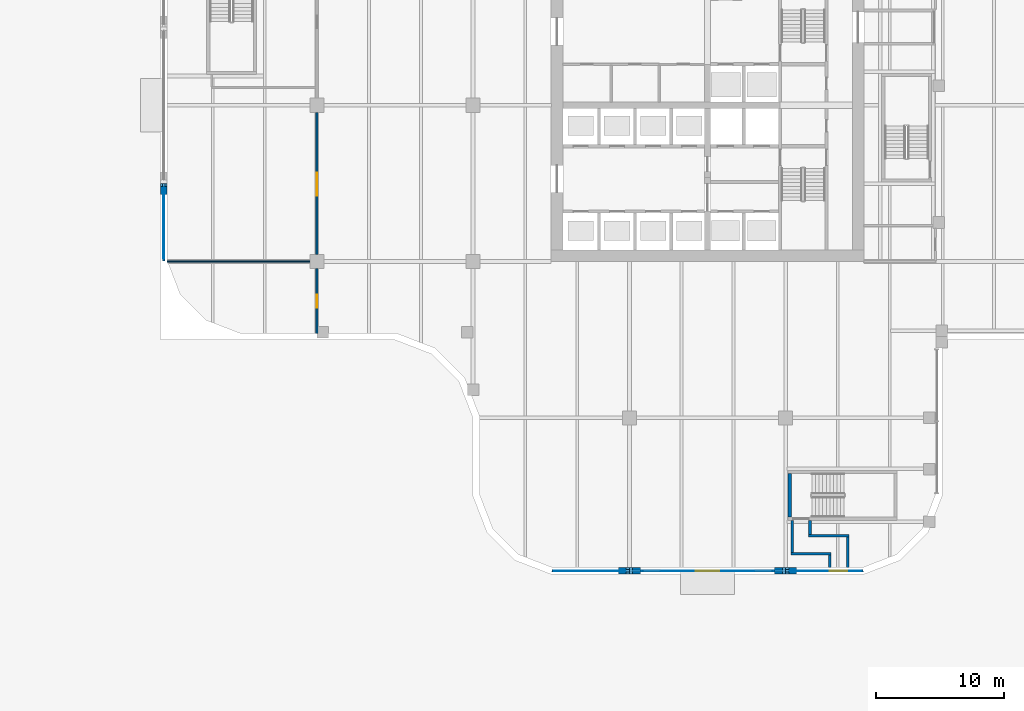
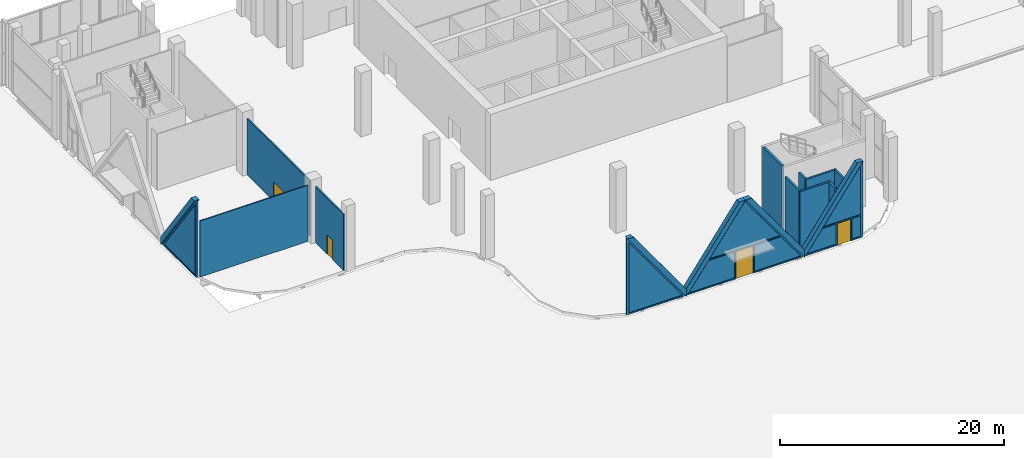
# One storey, part 17 of 36: 19 walls, 8 plates, 4 doors, 12 openings.
"""IFC4 building model written with IfcOpenShell, lengths in metres."""

from ifc_helpers import new_model, si_unit, direction, frame, frame_2d, origin, place, context, subcontext, project, spatial, polyline, rectangle, outline, extrude, faceted_brep, source, transform, mapped, material, layer, layer_set, type_object, element, fill, save


model = new_model("IFC4")

# Units and contexts
model_context = context("Model", 3, precision=1e-05, world=origin(), true_north=direction((0.0, 1.0)))
body_context = subcontext(model_context, "Body", "Model", "MODEL_VIEW")
ifc_project = project(units=[si_unit("LENGTHUNIT", "METRE"), si_unit("AREAUNIT", "SQUARE_METRE"), si_unit("VOLUMEUNIT", "CUBIC_METRE"), si_unit("PLANEANGLEUNIT", "RADIAN"), si_unit("MASSUNIT", "GRAM", prefix="KILO")], contexts=[model_context])

# Site, building, storey
site_placement = place(None, origin())
site = spatial("IfcSite", under=ifc_project, at=site_placement, CompositionType="ELEMENT")
building_placement = place(site_placement, origin())
building = spatial("IfcBuilding", under=site, at=building_placement, Name="Tessera Gate Towers", CompositionType="ELEMENT")
storey_placement = place(building_placement, origin())
storey = spatial("IfcBuildingStorey", under=building, at=storey_placement, Name="L00", CompositionType="ELEMENT", Elevation=0.0)

# Wall
ifc_material_1 = material(Name="Concrete C40/50", Category="concrete")
ifc_layer_1 = layer(ifc_material_1, 0.25)
ifc_layer_set_1 = layer_set([ifc_layer_1], Name="CORE ENCLOSURE WALL 250")
wall_type_1 = type_object("IfcWallType", Name="CORE ENCLOSURE WALL 250", PredefinedType="SOLIDWALL", material=ifc_layer_set_1)
wall_1_placement = place(storey_placement, frame((49.125, 4.449951171875, 0.0), z_axis=(0.0, 0.0, 1.0), x_axis=(0.0, 1.0, 0.0)))
element("IfcWall", 1, at=wall_1_placement, inside=storey, type_object=wall_type_1, Name="L00 ST4 enclosure wall", PredefinedType="SOLIDWALL", context=body_context, shape_type="SweptSolid", body=[
    extrude(rectangle(XDim=3.400146484375, YDim=0.25, at=frame_2d((1.7001953125, 0.0))), origin(), (0.0, 0.0, 1.0), 7.199951171875),
])

# Wall, opening, door
ifc_material_2 = material(Name="Gypsum board on steel studs, mineral wool", Category="steel")
ifc_layer_2 = layer(ifc_material_2, 0.14990234375)
ifc_layer_set_2 = layer_set([ifc_layer_2], Name="CORRIDOR WALL 150")
wall_type_2 = type_object("IfcWallType", Name="CORRIDOR WALL 150", PredefinedType="PARTITIONING", material=ifc_layer_set_2)
wall_2_placement = place(storey_placement, frame((12.199951171875, 18.800048828125, 0.0), z_axis=(0.0, 0.0, 1.0), x_axis=(0.0, 1.0, 0.0)))
wall_2 = element("IfcWall", 2, at=wall_2_placement, inside=storey, type_object=wall_type_2, Name="PODIUM-L00-PW-001", PredefinedType="PARTITIONING", context=body_context, shape_type="SweptSolid", body=[
    extrude(rectangle(XDim=5.049072265625, YDim=0.14990234375, at=frame_2d((2.5244140625, 0.0))), origin(), (0.0, 0.0, 1.0), 6.114990234375),
])
shared_shape_1 = source(origin(), body_context, "Body", "SweptSolid", [
    extrude(rectangle(XDim=1.0, YDim=2.10009765625, at=frame_2d((0.5, 1.050048828125))), frame((0.0, 0.0849609375, 0.0), z_axis=(0.0, -1.0, 0.0), x_axis=(1.0, 0.0, 0.0)), (0.0, 0.0, 1.0), 0.169921875),
])
opening_1_placement = place(wall_2_placement, frame((2.0, 0.0, 0.0)))
opening_1 = element("IfcOpeningElement", 3, at=opening_1_placement, cuts=wall_2, Name="Opening D2100FD60-P01-01", PredefinedType="OPENING", context=body_context, shape_type="MappedRepresentation", body=[
    mapped(shared_shape_1, transform((0.0, 0.0, 0.0), scale=1.0)),
])
ifc_material_3 = material(Name="Timber door leaf in steel frame", Category="steel")
door_type_1 = type_object("IfcDoorType", Name="TENANCY ENTRANCE DOOR 1000 FD60", OperationType="NOTDEFINED", PredefinedType="DOOR", material=ifc_material_3)
shared_shape_2 = source(origin(), body_context, "Body", "SweptSolid", [
    extrude(rectangle(XDim=1.0, YDim=2.10009765625, at=frame_2d((0.5, 1.050048828125))), frame((0.0, 0.02490234375, 0.0), z_axis=(0.0, -1.0, 0.0), x_axis=(1.0, 0.0, 0.0)), (0.0, 0.0, 1.0), 0.050048828125),
])
door_1_placement = place(opening_1_placement, origin())
door_1 = element("IfcDoor", 4, at=door_1_placement, inside=storey, type_object=door_type_1, Name="PODIUM-L00-PD-003", OperationType="SINGLE_SWING_LEFT", OverallHeight=2.10009765625, OverallWidth=1.0, PredefinedType="DOOR", context=body_context, shape_type="MappedRepresentation", body=[
    mapped(shared_shape_2, transform((0.0, 0.0, 0.0), scale=1.0)),
])
fill(opening_1, door_1)

wall_3_placement = place(storey_placement, frame((12.199951171875, 24.950927734375, 0.0), z_axis=(0.0, 0.0, 1.0), x_axis=(0.0, 1.0, 0.0)))
wall_3 = element("IfcWall", 5, at=wall_3_placement, inside=storey, type_object=wall_type_2, Name="PODIUM-L00-PW-010", PredefinedType="PARTITIONING", context=body_context, shape_type="SweptSolid", body=[
    extrude(rectangle(XDim=11.09814453125, YDim=0.14990234375, at=frame_2d((5.549072265625, 0.0))), origin(), (0.0, 0.0, 1.0), 6.114990234375),
])
shared_shape_3 = source(origin(), body_context, "Body", "SweptSolid", [
    extrude(rectangle(XDim=1.800048828125, YDim=2.10009765625, at=frame_2d((0.89990234375, 1.050048828125))), frame((0.0, 0.0849609375, 0.0), z_axis=(0.0, -1.0, 0.0), x_axis=(1.0, 0.0, 0.0)), (0.0, 0.0, 1.0), 0.169921875),
])
opening_2_placement = place(wall_3_placement, frame((4.60009765625, 0.0, 0.0)))
opening_2 = element("IfcOpeningElement", 6, at=opening_2_placement, cuts=wall_3, Name="Opening D2180FD60-P01-04", PredefinedType="OPENING", context=body_context, shape_type="MappedRepresentation", body=[
    mapped(shared_shape_3, transform((0.0, 0.0, 0.0), scale=1.0)),
])
ifc_material_4 = material(Name="Timber door leaf in steel frame", Category="steel")
door_type_2 = type_object("IfcDoorType", Name="TENANCY ENTRANCE DOUBLE DOOR 1800 FD60", OperationType="NOTDEFINED", PredefinedType="DOOR", material=ifc_material_4)
shared_shape_4 = source(origin(), body_context, "Body", "SweptSolid", [
    extrude(rectangle(XDim=1.800048828125, YDim=2.10009765625, at=frame_2d((0.89990234375, 1.050048828125))), frame((0.0, 0.02490234375, 0.0), z_axis=(0.0, -1.0, 0.0), x_axis=(1.0, 0.0, 0.0)), (0.0, 0.0, 1.0), 0.050048828125),
])
door_2_placement = place(opening_2_placement, origin())
door_2 = element("IfcDoor", 7, at=door_2_placement, inside=storey, type_object=door_type_2, Name="PODIUM-L00-PD-010", OperationType="DOUBLE_DOOR_SINGLE_SWING", OverallHeight=2.10009765625, OverallWidth=1.800048828125, PredefinedType="DOOR", context=body_context, shape_type="MappedRepresentation", body=[
    mapped(shared_shape_4, transform((0.0, 0.0, 0.0), scale=1.0)),
])
fill(opening_2, door_2)

# Walls
ifc_material_5 = material(Name="Gypsum board on steel studs", Category="steel")
ifc_layer_3 = layer(ifc_material_5, 0.199951171875)
ifc_layer_set_3 = layer_set([ifc_layer_3], Name="EXIT PASSAGE WALL 200")
wall_type_3 = type_object("IfcWallType", Name="EXIT PASSAGE WALL 200", PredefinedType="PARTITIONING", material=ifc_layer_set_3)
wall_4_placement = place(storey_placement, frame((49.300048828125, 1.699951171875, 0.0), z_axis=(0.0, 0.0, 1.0), x_axis=(0.0, 1.0, 0.0)))
element("IfcWall", 8, at=wall_4_placement, inside=storey, type_object=wall_type_3, Name="L00 exit passage wall", PredefinedType="PARTITIONING", context=body_context, shape_type="SweptSolid", body=[
    extrude(rectangle(XDim=2.5, YDim=0.199951171875, at=frame_2d((1.25, 0.0))), origin(), (0.0, 0.0, 1.0), 6.114990234375),
])
wall_5_placement = place(storey_placement, frame((49.199951171875, 1.60009765625, 0.0), z_axis=(0.0, 0.0, 1.0), x_axis=(1.0, 0.0, 0.0)))
element("IfcWall", 9, at=wall_5_placement, inside=storey, type_object=wall_type_3, Name="L00 exit passage wall", PredefinedType="PARTITIONING", context=body_context, shape_type="SweptSolid", body=[
    extrude(rectangle(XDim=3.150146484375, YDim=0.199951171875, at=frame_2d((1.5751953125, 0.0))), origin(), (0.0, 0.0, 1.0), 6.114990234375),
])
wall_6_placement = place(storey_placement, frame((50.699951171875, 3.10009765625, 0.0), z_axis=(0.0, 0.0, 1.0), x_axis=(0.0, 1.0, 0.0)))
element("IfcWall", 10, at=wall_6_placement, inside=storey, type_object=wall_type_3, Name="L00 exit passage wall", PredefinedType="PARTITIONING", context=body_context, shape_type="SweptSolid", body=[
    extrude(rectangle(XDim=1.099853515625, YDim=0.199951171875, at=frame_2d((0.5498046875, 0.0))), origin(), (0.0, 0.0, 1.0), 6.114990234375),
])
wall_7_placement = place(storey_placement, frame((50.60009765625, 3.0, 0.0), z_axis=(0.0, 0.0, 1.0), x_axis=(1.0, 0.0, 0.0)))
element("IfcWall", 11, at=wall_7_placement, inside=storey, type_object=wall_type_3, Name="L00 exit passage wall", PredefinedType="PARTITIONING", context=body_context, shape_type="SweptSolid", body=[
    extrude(rectangle(XDim=3.14990234375, YDim=0.199951171875, at=frame_2d((1.574951171875, 0.0))), origin(), (0.0, 0.0, 1.0), 6.114990234375),
])
wall_8_placement = place(storey_placement, frame((52.25, 0.5, 0.0), z_axis=(0.0, 0.0, 1.0), x_axis=(0.0, 1.0, 0.0)))
element("IfcWall", 12, at=wall_8_placement, inside=storey, type_object=wall_type_3, Name="L00 exit passage wall", PredefinedType="PARTITIONING", context=body_context, shape_type="SweptSolid", body=[
    extrude(rectangle(XDim=1.0, YDim=0.199951171875, at=frame_2d((0.5, 0.0))), origin(), (0.0, 0.0, 1.0), 6.114990234375),
])
wall_9_placement = place(storey_placement, frame((53.64990234375, 0.5, 0.0), z_axis=(0.0, 0.0, 1.0), x_axis=(0.0, 1.0, 0.0)))
element("IfcWall", 13, at=wall_9_placement, inside=storey, type_object=wall_type_3, Name="L00 exit passage wall", PredefinedType="PARTITIONING", context=body_context, shape_type="SweptSolid", body=[
    extrude(rectangle(XDim=2.39990234375, YDim=0.199951171875, at=frame_2d((1.199951171875, 0.0))), origin(), (0.0, 0.0, 1.0), 6.114990234375),
])
ifc_material_6 = material(Name="Gypsum board on steel studs", Category="steel")
ifc_layer_4 = layer(ifc_material_6, 0.10009765625)
ifc_layer_set_4 = layer_set([ifc_layer_4], Name="PARTITION 100")
wall_type_4 = type_object("IfcWallType", Name="PARTITION 100", PredefinedType="PARTITIONING", material=ifc_layer_set_4)
wall_10_placement = place(storey_placement, frame((0.535888671875, 24.39990234375, 0.0), z_axis=(0.0, 0.0, 1.0), x_axis=(1.0, 0.0, 0.0)))
element("IfcWall", 14, at=wall_10_placement, inside=storey, type_object=wall_type_4, Name="PODIUM-L00-PW-004", PredefinedType="PARTITIONING", context=body_context, shape_type="SweptSolid", body=[
    extrude(rectangle(XDim=11.113037109375, YDim=0.10009765625, at=frame_2d((5.556640625, 0.0))), origin(), (0.0, 0.0, 1.0), 6.114990234375),
])

# Wall, opening, plate
ifc_material_7 = material(Name="Aluminium storefront glazing", Category="aluminium")
ifc_layer_5 = layer(ifc_material_7, 0.199951171875)
ifc_layer_set_5 = layer_set([ifc_layer_5], Name="WS1 storefront wall")
wall_type_5 = type_object("IfcWallType", Name="WS1 storefront wall", PredefinedType="PARTITIONING", material=ifc_layer_set_5)
shared_shape_5 = source(origin(), body_context, "Body", "Brep", [
    faceted_brep([(0.0, -0.10009765625, 0.0), (6.072021484375, -0.10009765625, 0.0), (0.0185546875, -0.10009765625, 8.39990234375), (0.0, -0.10009765625, 8.373291015625), (0.037109375, 0.10009765625, 8.3740234375), (6.072021484375, 0.10009765625, 0.0), (0.037109375, 0.10009765625, 0.0), (0.0185546875, 0.0, 8.39990234375)], [[[0, 1, 2, 3]], [[4, 5, 6]], [[6, 5, 1, 0]], [[5, 4, 7, 2, 1]], [[3, 2, 7]], [[6, 0, 3, 7, 4]]]),
])
wall_11_placement = place(storey_placement, frame((30.528076171875, 0.25, 0.0), z_axis=(0.0, 0.0, 1.0), x_axis=(1.0, 0.0, 0.0)))
wall_11 = element("IfcWall", 15, at=wall_11_placement, inside=storey, type_object=wall_type_5, Name="Storefront wall T1 WS1-0001", PredefinedType="PARTITIONING", context=body_context, shape_type="MappedRepresentation", body=[
    mapped(shared_shape_5, transform((0.0, 0.0, 0.0), scale=1.0)),
])
shared_shape_6 = source(origin(), body_context, "Body", "SweptSolid", [
    extrude(outline(polyline([(0.218505859375, 0.14990234375), (5.779052734375, 0.14990234375), (0.218505859375, 7.865966796875), (0.218505859375, 0.14990234375)])), frame((0.0, 0.10986328125, 0.0), z_axis=(0.0, -1.0, 0.0), x_axis=(1.0, 0.0, 0.0)), (0.0, 0.0, 1.0), 0.219970703125),
])
opening_3_placement = place(wall_11_placement, origin())
opening_3 = element("IfcOpeningElement", 16, at=opening_3_placement, cuts=wall_11, Name="Opening T1-PL3-0001", PredefinedType="OPENING", context=body_context, shape_type="MappedRepresentation", body=[
    mapped(shared_shape_6, transform((0.0, 0.0, 0.0), scale=1.0)),
])
ifc_material_8 = material(Name="Low-e laminated glass", Category="glass")
ifc_layer_6 = layer(ifc_material_8, 0.06005859375)
ifc_layer_set_6 = layer_set([ifc_layer_6], Name="PL3 storefront pane")
plate_type = type_object("IfcPlateType", Name="PL3 storefront pane", PredefinedType="SHEET", material=ifc_layer_set_6)
shared_shape_7 = source(origin(), body_context, "Body", "SweptSolid", [
    extrude(outline(polyline([(0.218505859375, 0.14990234375), (5.779052734375, 0.14990234375), (0.218505859375, 7.865966796875), (0.218505859375, 0.14990234375)])), frame((0.0, 0.030029296875, 0.0), z_axis=(0.0, -1.0, 0.0), x_axis=(1.0, 0.0, 0.0)), (0.0, 0.0, 1.0), 0.06005859375),
])
plate_1_placement = place(opening_3_placement, origin())
plate_1 = element("IfcPlate", 17, at=plate_1_placement, inside=storey, type_object=plate_type, Name="Glass pane T1 PL3-0001", PredefinedType="SHEET", context=body_context, shape_type="MappedRepresentation", body=[
    mapped(shared_shape_7, transform((0.0, 0.0, 0.0), scale=1.0)),
])
fill(opening_3, plate_1)

# Wall, openings, plates, door
shared_shape_8 = source(origin(), body_context, "Body", "SweptSolid", [
    extrude(outline(polyline([(0.0, 0.0), (12.199951171875, 0.0), (6.10009765625, 8.39990234375), (0.0, 0.0)])), frame((0.0, 0.10009765625, 0.0), z_axis=(0.0, -1.0, 0.0), x_axis=(1.0, 0.0, 0.0)), (0.0, 0.0, 1.0), 0.199951171875),
])
wall_12_placement = place(storey_placement, frame((36.60009765625, 0.25, 0.0), z_axis=(0.0, 0.0, 1.0), x_axis=(1.0, 0.0, 0.0)))
wall_12 = element("IfcWall", 18, at=wall_12_placement, inside=storey, type_object=wall_type_5, Name="Storefront wall T1 WS1-0002", PredefinedType="PARTITIONING", context=body_context, shape_type="MappedRepresentation", body=[
    mapped(shared_shape_8, transform((0.0, 0.0, 0.0), scale=1.0)),
])
shared_shape_9 = source(origin(), body_context, "Body", "SweptSolid", [
    extrude(rectangle(XDim=1.800048828125, YDim=3.0, at=frame_2d((0.89990234375, 1.5))), frame((0.0, 0.10986328125, 0.0), z_axis=(0.0, -1.0, 0.0), x_axis=(1.0, 0.0, 0.0)), (0.0, 0.0, 1.0), 0.219970703125),
])
opening_4_placement = place(wall_12_placement, frame((5.199951171875, 0.0, 0.0)))
opening_4 = element("IfcOpeningElement", 19, at=opening_4_placement, cuts=wall_12, Name="Opening D-E102", PredefinedType="OPENING", context=body_context, shape_type="MappedRepresentation", body=[
    mapped(shared_shape_9, transform((0.0, 0.0, 0.0), scale=1.0)),
])
shared_shape_10 = source(origin(), body_context, "Body", "SweptSolid", [
    extrude(outline(polyline([(9.7490234375, 3.1201171875), (6.10009765625, 8.144775390625), (2.451171875, 3.1201171875), (9.7490234375, 3.1201171875)])), frame((0.0, 0.10986328125, 0.0), z_axis=(0.0, -1.0, 0.0), x_axis=(1.0, 0.0, 0.0)), (0.0, 0.0, 1.0), 0.219970703125),
])
opening_5_placement = place(wall_12_placement, origin())
opening_5 = element("IfcOpeningElement", 20, at=opening_5_placement, cuts=wall_12, Name="Opening T1-PL3-0002", PredefinedType="OPENING", context=body_context, shape_type="MappedRepresentation", body=[
    mapped(shared_shape_10, transform((0.0, 0.0, 0.0), scale=1.0)),
])
shared_shape_11 = source(origin(), body_context, "Body", "SweptSolid", [
    extrude(outline(polyline([(0.294189453125, 0.14990234375), (5.080078125, 0.14990234375), (5.080078125, 3.0), (2.364013671875, 3.0), (0.294189453125, 0.14990234375)])), frame((0.0, 0.10986328125, 0.0), z_axis=(0.0, -1.0, 0.0), x_axis=(1.0, 0.0, 0.0)), (0.0, 0.0, 1.0), 0.219970703125),
])
opening_6_placement = place(wall_12_placement, origin())
opening_6 = element("IfcOpeningElement", 21, at=opening_6_placement, cuts=wall_12, Name="Opening T1-PL3-0003", PredefinedType="OPENING", context=body_context, shape_type="MappedRepresentation", body=[
    mapped(shared_shape_11, transform((0.0, 0.0, 0.0), scale=1.0)),
])
shared_shape_12 = source(origin(), body_context, "Body", "SweptSolid", [
    extrude(outline(polyline([(7.1201171875, 0.14990234375), (11.90576171875, 0.14990234375), (9.8359375, 3.0), (7.1201171875, 3.0), (7.1201171875, 0.14990234375)])), frame((0.0, 0.10986328125, 0.0), z_axis=(0.0, -1.0, 0.0), x_axis=(1.0, 0.0, 0.0)), (0.0, 0.0, 1.0), 0.219970703125),
])
opening_7_placement = place(wall_12_placement, origin())
opening_7 = element("IfcOpeningElement", 22, at=opening_7_placement, cuts=wall_12, Name="Opening T1-PL3-0004", PredefinedType="OPENING", context=body_context, shape_type="MappedRepresentation", body=[
    mapped(shared_shape_12, transform((0.0, 0.0, 0.0), scale=1.0)),
])
shared_shape_13 = source(origin(), body_context, "Body", "SweptSolid", [
    extrude(outline(polyline([(9.7490234375, 3.1201171875), (6.10009765625, 8.144775390625), (2.451171875, 3.1201171875), (9.7490234375, 3.1201171875)])), frame((0.0, 0.030029296875, 0.0), z_axis=(0.0, -1.0, 0.0), x_axis=(1.0, 0.0, 0.0)), (0.0, 0.0, 1.0), 0.06005859375),
])
plate_2_placement = place(opening_5_placement, origin())
plate_2 = element("IfcPlate", 23, at=plate_2_placement, inside=storey, type_object=plate_type, Name="Glass pane T1 PL3-0002", PredefinedType="SHEET", context=body_context, shape_type="MappedRepresentation", body=[
    mapped(shared_shape_13, transform((0.0, 0.0, 0.0), scale=1.0)),
])
fill(opening_5, plate_2)
shared_shape_14 = source(origin(), body_context, "Body", "SweptSolid", [
    extrude(outline(polyline([(0.294189453125, 0.14990234375), (5.080078125, 0.14990234375), (5.080078125, 3.0), (2.364013671875, 3.0), (0.294189453125, 0.14990234375)])), frame((0.0, 0.030029296875, 0.0), z_axis=(0.0, -1.0, 0.0), x_axis=(1.0, 0.0, 0.0)), (0.0, 0.0, 1.0), 0.06005859375),
])
plate_3_placement = place(opening_6_placement, origin())
plate_3 = element("IfcPlate", 24, at=plate_3_placement, inside=storey, type_object=plate_type, Name="Glass pane T1 PL3-0003", PredefinedType="SHEET", context=body_context, shape_type="MappedRepresentation", body=[
    mapped(shared_shape_14, transform((0.0, 0.0, 0.0), scale=1.0)),
])
fill(opening_6, plate_3)
shared_shape_15 = source(origin(), body_context, "Body", "SweptSolid", [
    extrude(outline(polyline([(7.1201171875, 0.14990234375), (11.90576171875, 0.14990234375), (9.8359375, 3.0), (7.1201171875, 3.0), (7.1201171875, 0.14990234375)])), frame((0.0, 0.030029296875, 0.0), z_axis=(0.0, -1.0, 0.0), x_axis=(1.0, 0.0, 0.0)), (0.0, 0.0, 1.0), 0.06005859375),
])
plate_4_placement = place(opening_7_placement, origin())
plate_4 = element("IfcPlate", 25, at=plate_4_placement, inside=storey, type_object=plate_type, Name="Glass pane T1 PL3-0004", PredefinedType="SHEET", context=body_context, shape_type="MappedRepresentation", body=[
    mapped(shared_shape_15, transform((0.0, 0.0, 0.0), scale=1.0)),
])
fill(opening_7, plate_4)
ifc_material_9 = material(Name="Aluminium storefront glazing", Category="aluminium")
ifc_layer_7 = layer(ifc_material_9, 0.050048828125)
ifc_layer_set_7 = layer_set([ifc_layer_7], Name="DL1 entrance door")
door_type_3 = type_object("IfcDoorType", Name="DL1 entrance door", OperationType="DOUBLE_DOOR_SINGLE_SWING", PredefinedType="DOOR", material=ifc_layer_set_7)
shared_shape_16 = source(origin(), body_context, "Body", "SweptSolid", [
    extrude(rectangle(XDim=1.800048828125, YDim=3.0, at=frame_2d((0.89990234375, 1.5))), frame((0.0, 0.02490234375, 0.0), z_axis=(0.0, -1.0, 0.0), x_axis=(1.0, 0.0, 0.0)), (0.0, 0.0, 1.0), 0.050048828125),
])
door_3_placement = place(opening_4_placement, origin())
door_3 = element("IfcDoor", 26, at=door_3_placement, inside=storey, type_object=door_type_3, Name="Entrance door D-E102", OperationType="DOUBLE_DOOR_SINGLE_SWING", OverallHeight=3.0, OverallWidth=1.800048828125, PredefinedType="DOOR", context=body_context, shape_type="MappedRepresentation", body=[
    mapped(shared_shape_16, transform((0.0, 0.0, 0.0), scale=1.0)),
])
fill(opening_4, door_3)

shared_shape_17 = source(origin(), body_context, "Body", "Brep", [
    faceted_brep([(0.0, -0.10009765625, 0.0), (6.072021484375, -0.10009765625, 0.0), (6.072021484375, -0.10009765625, 8.373291015625), (6.053466796875, -0.10009765625, 8.39990234375), (6.034912109375, 0.10009765625, 0.0), (0.0, 0.10009765625, 0.0), (6.034912109375, 0.10009765625, 8.3740234375), (6.053466796875, 0.0, 8.39990234375)], [[[0, 1, 2, 3]], [[4, 5, 6]], [[5, 4, 1, 0]], [[7, 3, 2]], [[6, 5, 0, 3, 7]], [[1, 4, 6, 7, 2]]]),
])
wall_13_placement = place(storey_placement, frame((48.800048828125, 0.25, 0.0), z_axis=(0.0, 0.0, 1.0), x_axis=(1.0, 0.0, 0.0)))
wall_13 = element("IfcWall", 27, at=wall_13_placement, inside=storey, type_object=wall_type_5, Name="Storefront wall T1 WS1-0003", PredefinedType="PARTITIONING", context=body_context, shape_type="MappedRepresentation", body=[
    mapped(shared_shape_17, transform((0.0, 0.0, 0.0), scale=1.0)),
])
shared_shape_18 = source(origin(), body_context, "Body", "SweptSolid", [
    extrude(rectangle(XDim=1.39990234375, YDim=2.39990234375, at=frame_2d((0.699951171875, 1.199951171875))), frame((0.0, 0.10986328125, 0.0), z_axis=(0.0, -1.0, 0.0), x_axis=(1.0, 0.0, 0.0)), (0.0, 0.0, 1.0), 0.219970703125),
])
opening_8_placement = place(wall_13_placement, frame((3.453369140625, 0.0, 0.0)))
opening_8 = element("IfcOpeningElement", 28, at=opening_8_placement, cuts=wall_13, Name="Opening D-E103", PredefinedType="OPENING", context=body_context, shape_type="MappedRepresentation", body=[
    mapped(shared_shape_18, transform((0.0, 0.0, 0.0), scale=1.0)),
])
shared_shape_19 = source(origin(), body_context, "Body", "SweptSolid", [
    extrude(outline(polyline([(5.853515625, 7.865966796875), (2.0009765625, 2.52001953125), (5.853515625, 2.52001953125), (5.853515625, 7.865966796875)])), frame((0.0, 0.10986328125, 0.0), z_axis=(0.0, -1.0, 0.0), x_axis=(1.0, 0.0, 0.0)), (0.0, 0.0, 1.0), 0.219970703125),
])
opening_9_placement = place(wall_13_placement, origin())
opening_9 = element("IfcOpeningElement", 29, at=opening_9_placement, cuts=wall_13, Name="Opening T1-PL3-0005", PredefinedType="OPENING", context=body_context, shape_type="MappedRepresentation", body=[
    mapped(shared_shape_19, transform((0.0, 0.0, 0.0), scale=1.0)),
])
shared_shape_20 = source(origin(), body_context, "Body", "SweptSolid", [
    extrude(outline(polyline([(0.29296875, 0.14990234375), (3.33349609375, 0.14990234375), (3.33349609375, 2.39990234375), (1.91455078125, 2.39990234375), (0.29296875, 0.14990234375)])), frame((0.0, 0.10986328125, 0.0), z_axis=(0.0, -1.0, 0.0), x_axis=(1.0, 0.0, 0.0)), (0.0, 0.0, 1.0), 0.219970703125),
])
opening_10_placement = place(wall_13_placement, origin())
opening_10 = element("IfcOpeningElement", 30, at=opening_10_placement, cuts=wall_13, Name="Opening T1-PL3-0006", PredefinedType="OPENING", context=body_context, shape_type="MappedRepresentation", body=[
    mapped(shared_shape_20, transform((0.0, 0.0, 0.0), scale=1.0)),
])
shared_shape_21 = source(origin(), body_context, "Body", "SweptSolid", [
    extrude(outline(polyline([(4.973388671875, 0.14990234375), (5.853515625, 0.14990234375), (5.853515625, 2.39990234375), (4.973388671875, 2.39990234375), (4.973388671875, 0.14990234375)])), frame((0.0, 0.10986328125, 0.0), z_axis=(0.0, -1.0, 0.0), x_axis=(1.0, 0.0, 0.0)), (0.0, 0.0, 1.0), 0.219970703125),
])
opening_11_placement = place(wall_13_placement, origin())
opening_11 = element("IfcOpeningElement", 31, at=opening_11_placement, cuts=wall_13, Name="Opening T1-PL3-0007", PredefinedType="OPENING", context=body_context, shape_type="MappedRepresentation", body=[
    mapped(shared_shape_21, transform((0.0, 0.0, 0.0), scale=1.0)),
])
shared_shape_22 = source(origin(), body_context, "Body", "SweptSolid", [
    extrude(outline(polyline([(5.853515625, 7.865966796875), (2.0009765625, 2.52001953125), (5.853515625, 2.52001953125), (5.853515625, 7.865966796875)])), frame((0.0, 0.030029296875, 0.0), z_axis=(0.0, -1.0, 0.0), x_axis=(1.0, 0.0, 0.0)), (0.0, 0.0, 1.0), 0.06005859375),
])
plate_5_placement = place(opening_9_placement, origin())
plate_5 = element("IfcPlate", 32, at=plate_5_placement, inside=storey, type_object=plate_type, Name="Glass pane T1 PL3-0005", PredefinedType="SHEET", context=body_context, shape_type="MappedRepresentation", body=[
    mapped(shared_shape_22, transform((0.0, 0.0, 0.0), scale=1.0)),
])
fill(opening_9, plate_5)
shared_shape_23 = source(origin(), body_context, "Body", "SweptSolid", [
    extrude(outline(polyline([(0.29296875, 0.14990234375), (3.33349609375, 0.14990234375), (3.33349609375, 2.39990234375), (1.91455078125, 2.39990234375), (0.29296875, 0.14990234375)])), frame((0.0, 0.030029296875, 0.0), z_axis=(0.0, -1.0, 0.0), x_axis=(1.0, 0.0, 0.0)), (0.0, 0.0, 1.0), 0.06005859375),
])
plate_6_placement = place(opening_10_placement, origin())
plate_6 = element("IfcPlate", 33, at=plate_6_placement, inside=storey, type_object=plate_type, Name="Glass pane T1 PL3-0006", PredefinedType="SHEET", context=body_context, shape_type="MappedRepresentation", body=[
    mapped(shared_shape_23, transform((0.0, 0.0, 0.0), scale=1.0)),
])
fill(opening_10, plate_6)
shared_shape_24 = source(origin(), body_context, "Body", "SweptSolid", [
    extrude(outline(polyline([(4.973388671875, 0.14990234375), (5.853515625, 0.14990234375), (5.853515625, 2.39990234375), (4.973388671875, 2.39990234375), (4.973388671875, 0.14990234375)])), frame((0.0, 0.030029296875, 0.0), z_axis=(0.0, -1.0, 0.0), x_axis=(1.0, 0.0, 0.0)), (0.0, 0.0, 1.0), 0.06005859375),
])
plate_7_placement = place(opening_11_placement, origin())
plate_7 = element("IfcPlate", 34, at=plate_7_placement, inside=storey, type_object=plate_type, Name="Glass pane T1 PL3-0007", PredefinedType="SHEET", context=body_context, shape_type="MappedRepresentation", body=[
    mapped(shared_shape_24, transform((0.0, 0.0, 0.0), scale=1.0)),
])
fill(opening_11, plate_7)
ifc_material_10 = material(Name="Aluminium storefront glazing", Category="aluminium")
ifc_layer_8 = layer(ifc_material_10, 0.050048828125)
ifc_layer_set_8 = layer_set([ifc_layer_8], Name="DL2 exit door")
door_type_4 = type_object("IfcDoorType", Name="DL2 exit door", OperationType="SINGLE_SWING_LEFT", PredefinedType="DOOR", material=ifc_layer_set_8)
shared_shape_25 = source(origin(), body_context, "Body", "SweptSolid", [
    extrude(rectangle(XDim=1.39990234375, YDim=2.39990234375, at=frame_2d((0.699951171875, 1.199951171875))), frame((0.0, 0.02490234375, 0.0), z_axis=(0.0, -1.0, 0.0), x_axis=(1.0, 0.0, 0.0)), (0.0, 0.0, 1.0), 0.050048828125),
])
door_4_placement = place(opening_8_placement, frame((1.39990234375, 0.0, 0.0), x_axis=(-1.0, 0.0, 0.0)))
door_4 = element("IfcDoor", 35, at=door_4_placement, inside=storey, type_object=door_type_4, Name="Exit door D-E103", OperationType="SINGLE_SWING_LEFT", OverallHeight=2.39990234375, OverallWidth=1.39990234375, PredefinedType="DOOR", context=body_context, shape_type="MappedRepresentation", body=[
    mapped(shared_shape_25, transform((0.0, 0.0, 0.0), scale=1.0)),
])
fill(opening_8, door_4)

# Wall, opening, plate
wall_14_placement = place(storey_placement, frame((0.25, 30.5, 0.0), z_axis=(0.0, 0.0, 1.0), x_axis=(0.0, -1.0, 0.0)))
wall_14 = element("IfcWall", 36, at=wall_14_placement, inside=storey, type_object=wall_type_5, Name="Storefront wall T1 WS1-0009", PredefinedType="PARTITIONING", context=body_context, shape_type="MappedRepresentation", body=[
    mapped(shared_shape_17, transform((0.0, 0.0, 0.0), scale=1.0)),
])
shared_shape_26 = source(origin(), body_context, "Body", "SweptSolid", [
    extrude(outline(polyline([(0.29296875, 0.14990234375), (5.853515625, 0.14990234375), (5.853515625, 7.865966796875), (0.29296875, 0.14990234375)])), frame((0.0, 0.10986328125, 0.0), z_axis=(0.0, -1.0, 0.0), x_axis=(1.0, 0.0, 0.0)), (0.0, 0.0, 1.0), 0.219970703125),
])
opening_12_placement = place(wall_14_placement, origin())
opening_12 = element("IfcOpeningElement", 37, at=opening_12_placement, cuts=wall_14, Name="Opening T1-PL3-0014", PredefinedType="OPENING", context=body_context, shape_type="MappedRepresentation", body=[
    mapped(shared_shape_26, transform((0.0, 0.0, 0.0), scale=1.0)),
])
shared_shape_27 = source(origin(), body_context, "Body", "SweptSolid", [
    extrude(outline(polyline([(0.29296875, 0.14990234375), (5.853515625, 0.14990234375), (5.853515625, 7.865966796875), (0.29296875, 0.14990234375)])), frame((0.0, 0.030029296875, 0.0), z_axis=(0.0, -1.0, 0.0), x_axis=(1.0, 0.0, 0.0)), (0.0, 0.0, 1.0), 0.06005859375),
])
plate_8_placement = place(opening_12_placement, origin())
plate_8 = element("IfcPlate", 38, at=plate_8_placement, inside=storey, type_object=plate_type, Name="Glass pane T1 PL3-0014", PredefinedType="SHEET", context=body_context, shape_type="MappedRepresentation", body=[
    mapped(shared_shape_27, transform((0.0, 0.0, 0.0), scale=1.0)),
])
fill(opening_12, plate_8)

# Walls
ifc_material_11 = material(Name="Precast concrete C60/75 white", Category="concrete")
ifc_layer_9 = layer(ifc_material_11, 0.5)
ifc_layer_set_9 = layer_set([ifc_layer_9], Name="TB1 foot rib")
wall_type_6 = type_object("IfcWallType", Name="TB1 foot rib", PredefinedType="SOLIDWALL", material=ifc_layer_set_9)
shared_shape_28 = source(origin(), body_context, "Body", "Brep", [
    faceted_brep([(0.0, -0.25, 0.0), (6.099853515625, -0.25, 8.399658203125), (6.099853515625, -0.25, 8.39990234375), (5.482177734375, -0.25, 8.39990234375), (0.0, -0.25, 0.850830078125), (0.0, 0.25, 0.850830078125), (5.482177734375, 0.25, 8.39990234375), (6.099853515625, 0.25, 8.39990234375), (6.099853515625, 0.25, 8.399658203125), (0.0, 0.25, 0.0)], [[[0, 1, 2, 3, 4]], [[5, 6, 7, 8, 9]], [[9, 8, 1, 0]], [[7, 6, 3, 2]], [[6, 5, 4, 3]], [[5, 9, 0, 4]], [[1, 8, 7, 2]]]),
])
wall_15_placement = place(storey_placement, frame((36.60009765625, 0.25, 0.0), z_axis=(0.0, 0.0, 1.0), x_axis=(1.0, 0.0, 0.0)))
element("IfcWall", 39, at=wall_15_placement, inside=storey, type_object=wall_type_6, Name="Foot rib T1 TB1-0001", PredefinedType="SOLIDWALL", context=body_context, shape_type="MappedRepresentation", body=[
    mapped(shared_shape_28, transform((0.0, 0.0, 0.0), scale=1.0)),
])
shared_shape_29 = source(origin(), body_context, "Body", "Brep", [
    faceted_brep([(0.0, -0.25, 8.39990234375), (6.053466796875, -0.25, 0.0), (6.053466796875, -0.25, 0.850830078125), (0.61328125, -0.25, 8.39990234375), (0.61328125, 0.25, 8.39990234375), (6.053466796875, 0.25, 0.850830078125), (6.053466796875, 0.25, 0.0), (0.046630859375, 0.25, 8.335205078125), (0.046630859375, 0.25, 8.39990234375), (0.0, 0.0, 8.39990234375)], [[[0, 1, 2, 3]], [[4, 5, 6, 7, 8]], [[7, 6, 1, 0, 9]], [[5, 4, 3, 2]], [[4, 8, 9, 0, 3]], [[7, 9, 8]], [[1, 6, 5, 2]]]),
])
wall_16_placement = place(storey_placement, frame((30.546630859375, 0.25, 0.0), z_axis=(0.0, 0.0, 1.0), x_axis=(1.0, 0.0, 0.0)))
element("IfcWall", 40, at=wall_16_placement, inside=storey, type_object=wall_type_6, Name="Foot rib T1 TB1-0004", PredefinedType="SOLIDWALL", context=body_context, shape_type="MappedRepresentation", body=[
    mapped(shared_shape_29, transform((0.0, 0.0, 0.0), scale=1.0)),
])
shared_shape_30 = source(origin(), body_context, "Body", "Brep", [
    faceted_brep([(0.0, -0.25, 0.0), (6.053466796875, -0.25, 8.39990234375), (5.440185546875, -0.25, 8.39990234375), (0.0, -0.25, 0.850830078125), (0.0, 0.25, 0.850830078125), (5.440185546875, 0.25, 8.39990234375), (6.0068359375, 0.25, 8.39990234375), (6.0068359375, 0.25, 8.335205078125), (0.0, 0.25, 0.0), (6.053466796875, 0.0, 8.39990234375)], [[[0, 1, 2, 3]], [[4, 5, 6, 7, 8]], [[8, 7, 9, 1, 0]], [[6, 5, 2, 1, 9]], [[5, 4, 3, 2]], [[4, 8, 0, 3]], [[7, 6, 9]]]),
])
for number, where, z_axis, x_axis, name in (
    (41, (48.800048828125, 0.25, 0.0), (0.0, 0.0, 1.0), (1.0, 0.0, 0.0), "Foot rib T1 TB1-0005"),
    (42, (0.25, 30.5, 0.0), (0.0, 0.0, 1.0), (0.0, -1.0, 0.0), "Foot rib T1 TB1-0013"),
):
    element("IfcWall", number, at=place(storey_placement, frame(where, z_axis=z_axis, x_axis=x_axis)), inside=storey, type_object=wall_type_6, Name=name, PredefinedType="SOLIDWALL", context=body_context, shape_type="MappedRepresentation", body=[
        mapped(shared_shape_30, transform((0.0, 0.0, 0.0), scale=1.0)),
    ])
shared_shape_31 = source(origin(), body_context, "Body", "SweptSolid", [
    extrude(outline(polyline([(0.0, 8.39990234375), (6.10009765625, 0.0), (6.10009765625, 0.850830078125), (0.617919921875, 8.39990234375), (0.0, 8.39990234375)])), frame((0.0, 0.25, 0.0), z_axis=(0.0, -1.0, 0.0), x_axis=(1.0, 0.0, 0.0)), (0.0, 0.0, 1.0), 0.5),
])
wall_17_placement = place(storey_placement, frame((42.699951171875, 0.25, 0.0), z_axis=(0.0, 0.0, 1.0), x_axis=(1.0, 0.0, 0.0)))
element("IfcWall", 43, at=wall_17_placement, inside=storey, type_object=wall_type_6, Name="Foot rib T1 TB1-0008", PredefinedType="SOLIDWALL", context=body_context, shape_type="MappedRepresentation", body=[
    mapped(shared_shape_31, transform((0.0, 0.0, 0.0), scale=1.0)),
])

save(model, "model.ifc")
